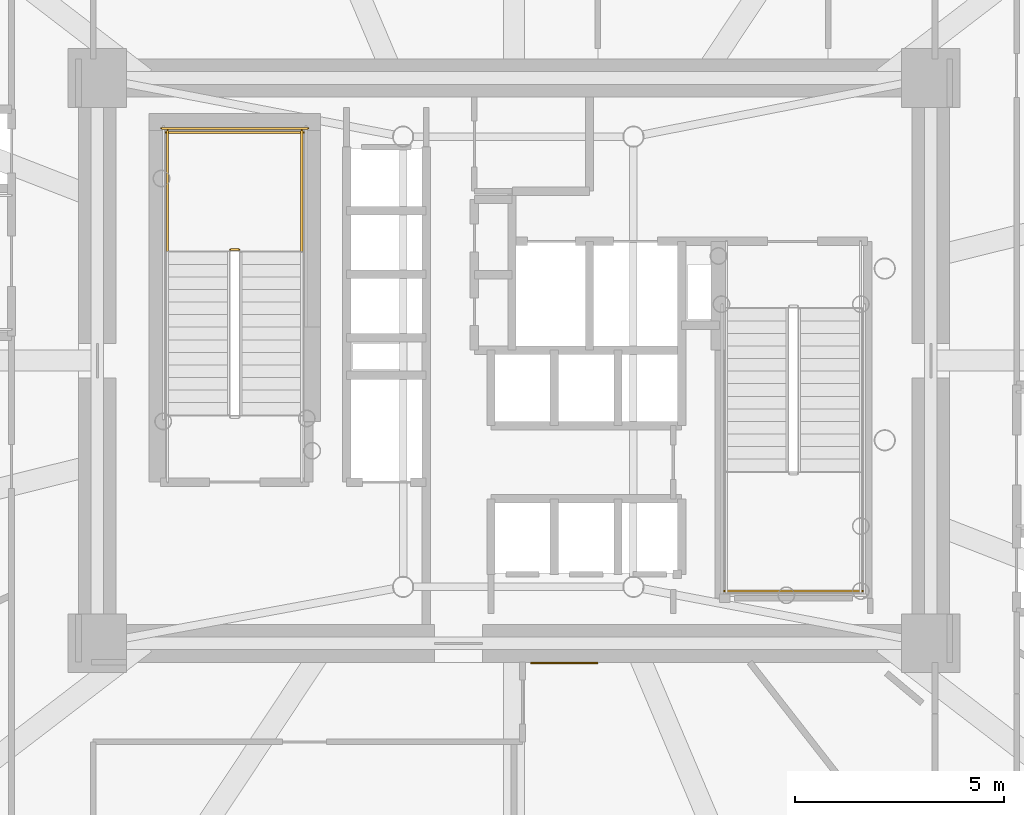
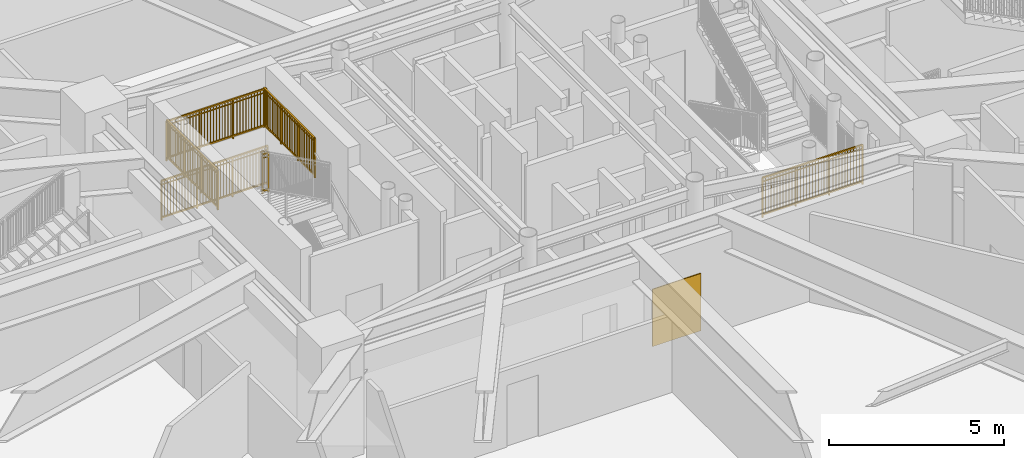
# One storey, part 22 of 27: 6 railings, 1 covering.
"""IFC4 building model written with IfcOpenShell, lengths in metres."""

from ifc_helpers import new_model, si_unit, direction, frame, origin, origin_2d, place, context, subcontext, project, spatial, rectangle, extrude, source, transform, mapped, material, layer, layer_set, type_object, element, save


model = new_model("IFC4")

# Units and contexts
model_context = context("Model", 3, precision=1e-05, world=origin(), true_north=direction((0.0, 1.0)))
body_context = subcontext(model_context, "Body", "Model", "MODEL_VIEW")
ifc_project = project(units=[si_unit("LENGTHUNIT", "METRE"), si_unit("AREAUNIT", "SQUARE_METRE"), si_unit("VOLUMEUNIT", "CUBIC_METRE"), si_unit("PLANEANGLEUNIT", "RADIAN"), si_unit("MASSUNIT", "GRAM", prefix="KILO")], contexts=[model_context])

# Site, building, storey
site_placement = place(None, origin())
site = spatial("IfcSite", under=ifc_project, at=site_placement, CompositionType="ELEMENT")
building_placement = place(site_placement, origin())
building = spatial("IfcBuilding", under=site, at=building_placement, Name="Linh Dai School and Residence Tower", CompositionType="ELEMENT")
storey_placement = place(building_placement, frame((0.0, 0.0, 22.800048828125)))
storey = spatial("IfcBuildingStorey", under=building, at=storey_placement, Name="L05", CompositionType="ELEMENT", Elevation=22.800048828125)

# Railings
ifc_material_1 = material(Name="Structural Steel S355JR", Category="steel")
railing_type = type_object("IfcRailingType", Name="RL-ST-GUARD-1400", PredefinedType="GUARDRAIL", material=ifc_material_1)
shared_shape_1 = source(origin(), body_context, "Body", "SweptSolid", [
    extrude(rectangle(XDim=0.048095703125, YDim=0.048095703125, at=origin_2d()), frame((0.0, 0.0, 1.3759765625), z_axis=(-1.0, 0.0, 0.0), x_axis=(0.0, -1.0, 0.0)), (0.0, 0.0, 1.0), 0.199951171875),
    extrude(rectangle(XDim=0.048095703125, YDim=0.048095703125, at=origin_2d()), frame((0.0, 0.0, 0.10009765625), z_axis=(-1.0, 0.0, 0.0), x_axis=(0.0, -1.0, 0.0)), (0.0, 0.0, 1.0), 0.199951171875),
    extrude(rectangle(XDim=0.030029296875, YDim=0.030029296875, at=origin_2d()), frame((0.0, 0.0, 1.239990234375), z_axis=(-1.0, 0.0, 0.0), x_axis=(0.0, -1.0, 0.0)), (0.0, 0.0, 1.0), 0.199951171875),
    extrude(rectangle(XDim=0.0419921875, YDim=0.0419921875, at=origin_2d()), origin(), (0.0, 0.0, 1.0), 1.3759765625),
    extrude(rectangle(XDim=0.0419921875, YDim=0.0419921875, at=origin_2d()), frame((-0.199951171875, 0.0, 0.0)), (0.0, 0.0, 1.0), 1.3759765625),
])
railing_1_placement = place(storey_placement, frame((29.429931640625, 29.64990234375, 2.099853515625)))
element("IfcRailing", 1, at=railing_1_placement, inside=storey, type_object=railing_type, Name="L05 ST1 stair guard 2", PredefinedType="GUARDRAIL", context=body_context, shape_type="MappedRepresentation", body=[
    mapped(shared_shape_1, transform((0.0, 0.0, 0.0), x_axis=(1.0, 0.0, 0.0), y_axis=(0.0, 1.0, 0.0), z_axis=(0.0, 0.0, 1.0), scale=1.0)),
])
shared_shape_2 = source(origin(), body_context, "Body", "SweptSolid", [
    extrude(rectangle(XDim=0.048095703125, YDim=0.048095703125, at=origin_2d()), frame((0.0, 0.0, 1.3759765625), z_axis=(-1.0, 0.0, 0.0), x_axis=(0.0, -1.0, 0.0)), (0.0, 0.0, 1.0), 3.300048828125),
    extrude(rectangle(XDim=0.048095703125, YDim=0.048095703125, at=origin_2d()), frame((0.0, 0.0, 0.10009765625), z_axis=(-1.0, 0.0, 0.0), x_axis=(0.0, -1.0, 0.0)), (0.0, 0.0, 1.0), 3.300048828125),
    extrude(rectangle(XDim=0.030029296875, YDim=0.030029296875, at=origin_2d()), frame((0.0, 0.0, 1.239990234375), z_axis=(-1.0, 0.0, 0.0), x_axis=(0.0, -1.0, 0.0)), (0.0, 0.0, 1.0), 3.300048828125),
    extrude(rectangle(XDim=0.02001953125, YDim=0.02001953125, at=origin_2d()), frame((-0.09716796875, 0.0, 0.10009765625)), (0.0, 0.0, 1.0), 1.251708984375),
    extrude(rectangle(XDim=0.02001953125, YDim=0.02001953125, at=origin_2d()), frame((-0.194091796875, 0.0, 0.10009765625)), (0.0, 0.0, 1.0), 1.251708984375),
    extrude(rectangle(XDim=0.02001953125, YDim=0.02001953125, at=origin_2d()), frame((-0.291259765625, 0.0, 0.10009765625)), (0.0, 0.0, 1.0), 1.251708984375),
    extrude(rectangle(XDim=0.02001953125, YDim=0.02001953125, at=origin_2d()), frame((-0.38818359375, 0.0, 0.10009765625)), (0.0, 0.0, 1.0), 1.251708984375),
    extrude(rectangle(XDim=0.02001953125, YDim=0.02001953125, at=origin_2d()), frame((-0.4853515625, 0.0, 0.10009765625)), (0.0, 0.0, 1.0), 1.251708984375),
    extrude(rectangle(XDim=0.02001953125, YDim=0.02001953125, at=origin_2d()), frame((-0.582275390625, 0.0, 0.10009765625)), (0.0, 0.0, 1.0), 1.251708984375),
    extrude(rectangle(XDim=0.02001953125, YDim=0.02001953125, at=origin_2d()), frame((-0.679443359375, 0.0, 0.10009765625)), (0.0, 0.0, 1.0), 1.251708984375),
    extrude(rectangle(XDim=0.02001953125, YDim=0.02001953125, at=origin_2d()), frame((-0.7763671875, 0.0, 0.10009765625)), (0.0, 0.0, 1.0), 1.251708984375),
    extrude(rectangle(XDim=0.02001953125, YDim=0.02001953125, at=origin_2d()), frame((-0.87353515625, 0.0, 0.10009765625)), (0.0, 0.0, 1.0), 1.251708984375),
    extrude(rectangle(XDim=0.02001953125, YDim=0.02001953125, at=origin_2d()), frame((-0.970703125, 0.0, 0.10009765625)), (0.0, 0.0, 1.0), 1.251708984375),
    extrude(rectangle(XDim=0.02001953125, YDim=0.02001953125, at=origin_2d()), frame((-1.164794921875, 0.0, 0.10009765625)), (0.0, 0.0, 1.0), 1.251708984375),
    extrude(rectangle(XDim=0.02001953125, YDim=0.02001953125, at=origin_2d()), frame((-1.26171875, 0.0, 0.10009765625)), (0.0, 0.0, 1.0), 1.251708984375),
    extrude(rectangle(XDim=0.02001953125, YDim=0.02001953125, at=origin_2d()), frame((-1.35888671875, 0.0, 0.10009765625)), (0.0, 0.0, 1.0), 1.251708984375),
    extrude(rectangle(XDim=0.02001953125, YDim=0.02001953125, at=origin_2d()), frame((-1.455810546875, 0.0, 0.10009765625)), (0.0, 0.0, 1.0), 1.251708984375),
    extrude(rectangle(XDim=0.02001953125, YDim=0.02001953125, at=origin_2d()), frame((-1.552978515625, 0.0, 0.10009765625)), (0.0, 0.0, 1.0), 1.251708984375),
    extrude(rectangle(XDim=0.02001953125, YDim=0.02001953125, at=origin_2d()), frame((-1.64990234375, 0.0, 0.10009765625)), (0.0, 0.0, 1.0), 1.251708984375),
    extrude(rectangle(XDim=0.02001953125, YDim=0.02001953125, at=origin_2d()), frame((-1.7470703125, 0.0, 0.10009765625)), (0.0, 0.0, 1.0), 1.251708984375),
    extrude(rectangle(XDim=0.02001953125, YDim=0.02001953125, at=origin_2d()), frame((-1.84423828125, 0.0, 0.10009765625)), (0.0, 0.0, 1.0), 1.251708984375),
    extrude(rectangle(XDim=0.02001953125, YDim=0.02001953125, at=origin_2d()), frame((-1.941162109375, 0.0, 0.10009765625)), (0.0, 0.0, 1.0), 1.251708984375),
    extrude(rectangle(XDim=0.02001953125, YDim=0.02001953125, at=origin_2d()), frame((-2.038330078125, 0.0, 0.10009765625)), (0.0, 0.0, 1.0), 1.251708984375),
    extrude(rectangle(XDim=0.02001953125, YDim=0.02001953125, at=origin_2d()), frame((-2.13525390625, 0.0, 0.10009765625)), (0.0, 0.0, 1.0), 1.251708984375),
    extrude(rectangle(XDim=0.02001953125, YDim=0.02001953125, at=origin_2d()), frame((-2.329345703125, 0.0, 0.10009765625)), (0.0, 0.0, 1.0), 1.251708984375),
    extrude(rectangle(XDim=0.02001953125, YDim=0.02001953125, at=origin_2d()), frame((-2.426513671875, 0.0, 0.10009765625)), (0.0, 0.0, 1.0), 1.251708984375),
    extrude(rectangle(XDim=0.02001953125, YDim=0.02001953125, at=origin_2d()), frame((-2.523681640625, 0.0, 0.10009765625)), (0.0, 0.0, 1.0), 1.251708984375),
    extrude(rectangle(XDim=0.02001953125, YDim=0.02001953125, at=origin_2d()), frame((-2.62060546875, 0.0, 0.10009765625)), (0.0, 0.0, 1.0), 1.251708984375),
    extrude(rectangle(XDim=0.02001953125, YDim=0.02001953125, at=origin_2d()), frame((-2.7177734375, 0.0, 0.10009765625)), (0.0, 0.0, 1.0), 1.251708984375),
    extrude(rectangle(XDim=0.02001953125, YDim=0.02001953125, at=origin_2d()), frame((-2.814697265625, 0.0, 0.10009765625)), (0.0, 0.0, 1.0), 1.251708984375),
    extrude(rectangle(XDim=0.02001953125, YDim=0.02001953125, at=origin_2d()), frame((-2.911865234375, 0.0, 0.10009765625)), (0.0, 0.0, 1.0), 1.251708984375),
    extrude(rectangle(XDim=0.02001953125, YDim=0.02001953125, at=origin_2d()), frame((-3.0087890625, 0.0, 0.10009765625)), (0.0, 0.0, 1.0), 1.251708984375),
    extrude(rectangle(XDim=0.02001953125, YDim=0.02001953125, at=origin_2d()), frame((-3.10595703125, 0.0, 0.10009765625)), (0.0, 0.0, 1.0), 1.251708984375),
    extrude(rectangle(XDim=0.02001953125, YDim=0.02001953125, at=origin_2d()), frame((-3.202880859375, 0.0, 0.10009765625)), (0.0, 0.0, 1.0), 1.251708984375),
    extrude(rectangle(XDim=0.0419921875, YDim=0.0419921875, at=origin_2d()), origin(), (0.0, 0.0, 1.0), 1.3759765625),
    extrude(rectangle(XDim=0.0419921875, YDim=0.0419921875, at=origin_2d()), frame((-1.10009765625, 0.0, 0.0)), (0.0, 0.0, 1.0), 1.3759765625),
    extrude(rectangle(XDim=0.0419921875, YDim=0.0419921875, at=origin_2d()), frame((-2.199951171875, 0.0, 0.0)), (0.0, 0.0, 1.0), 1.3759765625),
    extrude(rectangle(XDim=0.0419921875, YDim=0.0419921875, at=origin_2d()), frame((-3.300048828125, 0.0, 0.0)), (0.0, 0.0, 1.0), 1.3759765625),
])
railing_2_placement = place(storey_placement, frame((30.97998046875, 32.449951171875, 2.099853515625)))
element("IfcRailing", 2, at=railing_2_placement, inside=storey, type_object=railing_type, Name="L05 ST1 stair guard 5", PredefinedType="GUARDRAIL", context=body_context, shape_type="MappedRepresentation", body=[
    mapped(shared_shape_2, transform((0.0, 0.0, 0.0), x_axis=(1.0, 0.0, 0.0), y_axis=(0.0, 1.0, 0.0), z_axis=(0.0, 0.0, 1.0), scale=1.0)),
])
shared_shape_3 = source(origin(), body_context, "Body", "SweptSolid", [
    extrude(rectangle(XDim=0.048095703125, YDim=0.048095703125, at=origin_2d()), frame((0.0, 0.0, 1.3759765625), z_axis=(-1.0, 0.0, 0.0), x_axis=(0.0, -1.0, 0.0)), (0.0, 0.0, 1.0), 3.5),
    extrude(rectangle(XDim=0.048095703125, YDim=0.048095703125, at=origin_2d()), frame((0.0, 0.0, 0.10009765625), z_axis=(-1.0, 0.0, 0.0), x_axis=(0.0, -1.0, 0.0)), (0.0, 0.0, 1.0), 3.5),
    extrude(rectangle(XDim=0.030029296875, YDim=0.030029296875, at=origin_2d()), frame((0.0, 0.0, 1.239990234375), z_axis=(-1.0, 0.0, 0.0), x_axis=(0.0, -1.0, 0.0)), (0.0, 0.0, 1.0), 3.5),
    extrude(rectangle(XDim=0.02001953125, YDim=0.02001953125, at=origin_2d()), frame((-0.09716796875, 0.0, 0.10009765625)), (0.0, 0.0, 1.0), 1.251708984375),
    extrude(rectangle(XDim=0.02001953125, YDim=0.02001953125, at=origin_2d()), frame((-0.1943359375, 0.0, 0.10009765625)), (0.0, 0.0, 1.0), 1.251708984375),
    extrude(rectangle(XDim=0.02001953125, YDim=0.02001953125, at=origin_2d()), frame((-0.291748046875, 0.0, 0.10009765625)), (0.0, 0.0, 1.0), 1.251708984375),
    extrude(rectangle(XDim=0.02001953125, YDim=0.02001953125, at=origin_2d()), frame((-0.388916015625, 0.0, 0.10009765625)), (0.0, 0.0, 1.0), 1.251708984375),
    extrude(rectangle(XDim=0.02001953125, YDim=0.02001953125, at=origin_2d()), frame((-0.486083984375, 0.0, 0.10009765625)), (0.0, 0.0, 1.0), 1.251708984375),
    extrude(rectangle(XDim=0.02001953125, YDim=0.02001953125, at=origin_2d()), frame((-0.583251953125, 0.0, 0.10009765625)), (0.0, 0.0, 1.0), 1.251708984375),
    extrude(rectangle(XDim=0.02001953125, YDim=0.02001953125, at=origin_2d()), frame((-0.6806640625, 0.0, 0.10009765625)), (0.0, 0.0, 1.0), 1.251708984375),
    extrude(rectangle(XDim=0.02001953125, YDim=0.02001953125, at=origin_2d()), frame((-0.77783203125, 0.0, 0.10009765625)), (0.0, 0.0, 1.0), 1.251708984375),
    extrude(rectangle(XDim=0.02001953125, YDim=0.02001953125, at=origin_2d()), frame((-0.875, 0.0, 0.10009765625)), (0.0, 0.0, 1.0), 1.251708984375),
    extrude(rectangle(XDim=0.02001953125, YDim=0.02001953125, at=origin_2d()), frame((-0.97216796875, 0.0, 0.10009765625)), (0.0, 0.0, 1.0), 1.251708984375),
    extrude(rectangle(XDim=0.02001953125, YDim=0.02001953125, at=origin_2d()), frame((-1.0693359375, 0.0, 0.10009765625)), (0.0, 0.0, 1.0), 1.251708984375),
    extrude(rectangle(XDim=0.02001953125, YDim=0.02001953125, at=origin_2d()), frame((-1.263916015625, 0.0, 0.10009765625)), (0.0, 0.0, 1.0), 1.251708984375),
    extrude(rectangle(XDim=0.02001953125, YDim=0.02001953125, at=origin_2d()), frame((-1.361083984375, 0.0, 0.10009765625)), (0.0, 0.0, 1.0), 1.251708984375),
    extrude(rectangle(XDim=0.02001953125, YDim=0.02001953125, at=origin_2d()), frame((-1.458251953125, 0.0, 0.10009765625)), (0.0, 0.0, 1.0), 1.251708984375),
    extrude(rectangle(XDim=0.02001953125, YDim=0.02001953125, at=origin_2d()), frame((-1.5556640625, 0.0, 0.10009765625)), (0.0, 0.0, 1.0), 1.251708984375),
    extrude(rectangle(XDim=0.02001953125, YDim=0.02001953125, at=origin_2d()), frame((-1.65283203125, 0.0, 0.10009765625)), (0.0, 0.0, 1.0), 1.251708984375),
    extrude(rectangle(XDim=0.02001953125, YDim=0.02001953125, at=origin_2d()), frame((-1.75, 0.0, 0.10009765625)), (0.0, 0.0, 1.0), 1.251708984375),
    extrude(rectangle(XDim=0.02001953125, YDim=0.02001953125, at=origin_2d()), frame((-1.84716796875, 0.0, 0.10009765625)), (0.0, 0.0, 1.0), 1.251708984375),
    extrude(rectangle(XDim=0.02001953125, YDim=0.02001953125, at=origin_2d()), frame((-1.9443359375, 0.0, 0.10009765625)), (0.0, 0.0, 1.0), 1.251708984375),
    extrude(rectangle(XDim=0.02001953125, YDim=0.02001953125, at=origin_2d()), frame((-2.041748046875, 0.0, 0.10009765625)), (0.0, 0.0, 1.0), 1.251708984375),
    extrude(rectangle(XDim=0.02001953125, YDim=0.02001953125, at=origin_2d()), frame((-2.138916015625, 0.0, 0.10009765625)), (0.0, 0.0, 1.0), 1.251708984375),
    extrude(rectangle(XDim=0.02001953125, YDim=0.02001953125, at=origin_2d()), frame((-2.236083984375, 0.0, 0.10009765625)), (0.0, 0.0, 1.0), 1.251708984375),
    extrude(rectangle(XDim=0.02001953125, YDim=0.02001953125, at=origin_2d()), frame((-2.4306640625, 0.0, 0.10009765625)), (0.0, 0.0, 1.0), 1.251708984375),
    extrude(rectangle(XDim=0.02001953125, YDim=0.02001953125, at=origin_2d()), frame((-2.52783203125, 0.0, 0.10009765625)), (0.0, 0.0, 1.0), 1.251708984375),
    extrude(rectangle(XDim=0.02001953125, YDim=0.02001953125, at=origin_2d()), frame((-2.625, 0.0, 0.10009765625)), (0.0, 0.0, 1.0), 1.251708984375),
    extrude(rectangle(XDim=0.02001953125, YDim=0.02001953125, at=origin_2d()), frame((-2.72216796875, 0.0, 0.10009765625)), (0.0, 0.0, 1.0), 1.251708984375),
    extrude(rectangle(XDim=0.02001953125, YDim=0.02001953125, at=origin_2d()), frame((-2.8193359375, 0.0, 0.10009765625)), (0.0, 0.0, 1.0), 1.251708984375),
    extrude(rectangle(XDim=0.02001953125, YDim=0.02001953125, at=origin_2d()), frame((-2.916748046875, 0.0, 0.10009765625)), (0.0, 0.0, 1.0), 1.251708984375),
    extrude(rectangle(XDim=0.02001953125, YDim=0.02001953125, at=origin_2d()), frame((-3.013916015625, 0.0, 0.10009765625)), (0.0, 0.0, 1.0), 1.251708984375),
    extrude(rectangle(XDim=0.02001953125, YDim=0.02001953125, at=origin_2d()), frame((-3.111083984375, 0.0, 0.10009765625)), (0.0, 0.0, 1.0), 1.251708984375),
    extrude(rectangle(XDim=0.02001953125, YDim=0.02001953125, at=origin_2d()), frame((-3.208251953125, 0.0, 0.10009765625)), (0.0, 0.0, 1.0), 1.251708984375),
    extrude(rectangle(XDim=0.02001953125, YDim=0.02001953125, at=origin_2d()), frame((-3.3056640625, 0.0, 0.10009765625)), (0.0, 0.0, 1.0), 1.251708984375),
    extrude(rectangle(XDim=0.02001953125, YDim=0.02001953125, at=origin_2d()), frame((-3.40283203125, 0.0, 0.10009765625)), (0.0, 0.0, 1.0), 1.251708984375),
    extrude(rectangle(XDim=0.0419921875, YDim=0.0419921875, at=origin_2d()), origin(), (0.0, 0.0, 1.0), 1.3759765625),
    extrude(rectangle(XDim=0.0419921875, YDim=0.0419921875, at=origin_2d()), frame((-1.166748046875, 0.0, 0.0)), (0.0, 0.0, 1.0), 1.3759765625),
    extrude(rectangle(XDim=0.0419921875, YDim=0.0419921875, at=origin_2d()), frame((-2.333251953125, 0.0, 0.0)), (0.0, 0.0, 1.0), 1.3759765625),
    extrude(rectangle(XDim=0.0419921875, YDim=0.0419921875, at=origin_2d()), frame((-3.5, 0.0, 0.0)), (0.0, 0.0, 1.0), 1.3759765625),
])
railing_3_placement = place(storey_placement, frame((31.080078125, 32.550048828125, 0.0)))
element("IfcRailing", 3, at=railing_3_placement, inside=storey, type_object=railing_type, Name="L05 ST1 stair guard 12", PredefinedType="GUARDRAIL", context=body_context, shape_type="MappedRepresentation", body=[
    mapped(shared_shape_3, transform((0.0, 0.0, 0.0), x_axis=(1.0, 0.0, 0.0), y_axis=(0.0, 1.0, 0.0), z_axis=(0.0, 0.0, 1.0), scale=1.0)),
])
shared_shape_4 = source(origin(), body_context, "Body", "SweptSolid", [
    extrude(rectangle(XDim=0.048095703125, YDim=0.048095703125, at=origin_2d()), frame((0.0, 0.0, 1.3759765625), z_axis=(0.0, 1.0, 0.0), x_axis=(-1.0, 0.0, 0.0)), (0.0, 0.0, 1.0), 2.89990234375),
    extrude(rectangle(XDim=0.048095703125, YDim=0.048095703125, at=origin_2d()), frame((0.0, 0.0, 0.10009765625), z_axis=(0.0, 1.0, 0.0), x_axis=(-1.0, 0.0, 0.0)), (0.0, 0.0, 1.0), 2.89990234375),
    extrude(rectangle(XDim=0.030029296875, YDim=0.030029296875, at=origin_2d()), frame((0.0, 0.0, 1.239990234375), z_axis=(0.0, 1.0, 0.0), x_axis=(-1.0, 0.0, 0.0)), (0.0, 0.0, 1.0), 2.89990234375),
    extrude(rectangle(XDim=0.02001953125, YDim=0.02001953125, at=origin_2d()), frame((0.0, 0.0966796875, 0.10009765625)), (0.0, 0.0, 1.0), 1.251708984375),
    extrude(rectangle(XDim=0.02001953125, YDim=0.02001953125, at=origin_2d()), frame((0.0, 0.193359375, 0.10009765625)), (0.0, 0.0, 1.0), 1.251708984375),
    extrude(rectangle(XDim=0.02001953125, YDim=0.02001953125, at=origin_2d()), frame((0.0, 0.2900390625, 0.10009765625)), (0.0, 0.0, 1.0), 1.251708984375),
    extrude(rectangle(XDim=0.02001953125, YDim=0.02001953125, at=origin_2d()), frame((0.0, 0.38671875, 0.10009765625)), (0.0, 0.0, 1.0), 1.251708984375),
    extrude(rectangle(XDim=0.02001953125, YDim=0.02001953125, at=origin_2d()), frame((0.0, 0.4833984375, 0.10009765625)), (0.0, 0.0, 1.0), 1.251708984375),
    extrude(rectangle(XDim=0.02001953125, YDim=0.02001953125, at=origin_2d()), frame((0.0, 0.580078125, 0.10009765625)), (0.0, 0.0, 1.0), 1.251708984375),
    extrude(rectangle(XDim=0.02001953125, YDim=0.02001953125, at=origin_2d()), frame((0.0, 0.6767578125, 0.10009765625)), (0.0, 0.0, 1.0), 1.251708984375),
    extrude(rectangle(XDim=0.02001953125, YDim=0.02001953125, at=origin_2d()), frame((0.0, 0.773193359375, 0.10009765625)), (0.0, 0.0, 1.0), 1.251708984375),
    extrude(rectangle(XDim=0.02001953125, YDim=0.02001953125, at=origin_2d()), frame((0.0, 0.869873046875, 0.10009765625)), (0.0, 0.0, 1.0), 1.251708984375),
    extrude(rectangle(XDim=0.02001953125, YDim=0.02001953125, at=origin_2d()), frame((0.0, 1.063232421875, 0.10009765625)), (0.0, 0.0, 1.0), 1.251708984375),
    extrude(rectangle(XDim=0.02001953125, YDim=0.02001953125, at=origin_2d()), frame((0.0, 1.159912109375, 0.10009765625)), (0.0, 0.0, 1.0), 1.251708984375),
    extrude(rectangle(XDim=0.02001953125, YDim=0.02001953125, at=origin_2d()), frame((0.0, 1.256591796875, 0.10009765625)), (0.0, 0.0, 1.0), 1.251708984375),
    extrude(rectangle(XDim=0.02001953125, YDim=0.02001953125, at=origin_2d()), frame((0.0, 1.353271484375, 0.10009765625)), (0.0, 0.0, 1.0), 1.251708984375),
    extrude(rectangle(XDim=0.02001953125, YDim=0.02001953125, at=origin_2d()), frame((0.0, 1.449951171875, 0.10009765625)), (0.0, 0.0, 1.0), 1.251708984375),
    extrude(rectangle(XDim=0.02001953125, YDim=0.02001953125, at=origin_2d()), frame((0.0, 1.546630859375, 0.10009765625)), (0.0, 0.0, 1.0), 1.251708984375),
    extrude(rectangle(XDim=0.02001953125, YDim=0.02001953125, at=origin_2d()), frame((0.0, 1.643310546875, 0.10009765625)), (0.0, 0.0, 1.0), 1.251708984375),
    extrude(rectangle(XDim=0.02001953125, YDim=0.02001953125, at=origin_2d()), frame((0.0, 1.739990234375, 0.10009765625)), (0.0, 0.0, 1.0), 1.251708984375),
    extrude(rectangle(XDim=0.02001953125, YDim=0.02001953125, at=origin_2d()), frame((0.0, 1.836669921875, 0.10009765625)), (0.0, 0.0, 1.0), 1.251708984375),
    extrude(rectangle(XDim=0.02001953125, YDim=0.02001953125, at=origin_2d()), frame((0.0, 2.030029296875, 0.10009765625)), (0.0, 0.0, 1.0), 1.251708984375),
    extrude(rectangle(XDim=0.02001953125, YDim=0.02001953125, at=origin_2d()), frame((0.0, 2.126708984375, 0.10009765625)), (0.0, 0.0, 1.0), 1.251708984375),
    extrude(rectangle(XDim=0.02001953125, YDim=0.02001953125, at=origin_2d()), frame((0.0, 2.22314453125, 0.10009765625)), (0.0, 0.0, 1.0), 1.251708984375),
    extrude(rectangle(XDim=0.02001953125, YDim=0.02001953125, at=origin_2d()), frame((0.0, 2.31982421875, 0.10009765625)), (0.0, 0.0, 1.0), 1.251708984375),
    extrude(rectangle(XDim=0.02001953125, YDim=0.02001953125, at=origin_2d()), frame((0.0, 2.41650390625, 0.10009765625)), (0.0, 0.0, 1.0), 1.251708984375),
    extrude(rectangle(XDim=0.02001953125, YDim=0.02001953125, at=origin_2d()), frame((0.0, 2.51318359375, 0.10009765625)), (0.0, 0.0, 1.0), 1.251708984375),
    extrude(rectangle(XDim=0.02001953125, YDim=0.02001953125, at=origin_2d()), frame((0.0, 2.60986328125, 0.10009765625)), (0.0, 0.0, 1.0), 1.251708984375),
    extrude(rectangle(XDim=0.02001953125, YDim=0.02001953125, at=origin_2d()), frame((0.0, 2.70654296875, 0.10009765625)), (0.0, 0.0, 1.0), 1.251708984375),
    extrude(rectangle(XDim=0.02001953125, YDim=0.02001953125, at=origin_2d()), frame((0.0, 2.80322265625, 0.10009765625)), (0.0, 0.0, 1.0), 1.251708984375),
    extrude(rectangle(XDim=0.0419921875, YDim=0.0419921875, at=origin_2d()), origin(), (0.0, 0.0, 1.0), 1.3759765625),
    extrude(rectangle(XDim=0.0419921875, YDim=0.0419921875, at=origin_2d()), frame((0.0, 0.966552734375, 0.0)), (0.0, 0.0, 1.0), 1.3759765625),
    extrude(rectangle(XDim=0.0419921875, YDim=0.0419921875, at=origin_2d()), frame((0.0, 1.933349609375, 0.0)), (0.0, 0.0, 1.0), 1.3759765625),
    extrude(rectangle(XDim=0.0419921875, YDim=0.0419921875, at=origin_2d()), frame((0.0, 2.89990234375, 0.0)), (0.0, 0.0, 1.0), 1.3759765625),
])
for number, where, name in (
    (4, (30.929931640625, 29.60009765625, 2.099853515625), "L05 ST1 stair guard 3"),
    (5, (27.72998046875, 29.60009765625, 2.099853515625), "L05 ST1 stair guard 4"),
):
    element("IfcRailing", number, at=place(storey_placement, frame(where)), inside=storey, type_object=railing_type, Name=name, PredefinedType="GUARDRAIL", context=body_context, shape_type="MappedRepresentation", body=[
        mapped(shared_shape_4, transform((0.0, 0.0, 0.0), x_axis=(1.0, 0.0, 0.0), y_axis=(0.0, 1.0, 0.0), z_axis=(0.0, 0.0, 1.0), scale=1.0)),
    ])
shared_shape_5 = source(origin(), body_context, "Body", "SweptSolid", [
    extrude(rectangle(XDim=0.048095703125, YDim=0.048095703125, at=origin_2d()), frame((0.0, 0.0, 1.3759765625), z_axis=(1.0, 0.0, 0.0), x_axis=(0.0, 1.0, 0.0)), (0.0, 0.0, 1.0), 3.300048828125),
    extrude(rectangle(XDim=0.048095703125, YDim=0.048095703125, at=origin_2d()), frame((0.0, 0.0, 0.10009765625), z_axis=(1.0, 0.0, 0.0), x_axis=(0.0, 1.0, 0.0)), (0.0, 0.0, 1.0), 3.300048828125),
    extrude(rectangle(XDim=0.030029296875, YDim=0.030029296875, at=origin_2d()), frame((0.0, 0.0, 1.239990234375), z_axis=(1.0, 0.0, 0.0), x_axis=(0.0, 1.0, 0.0)), (0.0, 0.0, 1.0), 3.300048828125),
    extrude(rectangle(XDim=0.02001953125, YDim=0.02001953125, at=origin_2d()), frame((0.09716796875, 0.0, 0.10009765625)), (0.0, 0.0, 1.0), 1.251708984375),
    extrude(rectangle(XDim=0.02001953125, YDim=0.02001953125, at=origin_2d()), frame((0.194091796875, 0.0, 0.10009765625)), (0.0, 0.0, 1.0), 1.251708984375),
    extrude(rectangle(XDim=0.02001953125, YDim=0.02001953125, at=origin_2d()), frame((0.291259765625, 0.0, 0.10009765625)), (0.0, 0.0, 1.0), 1.251708984375),
    extrude(rectangle(XDim=0.02001953125, YDim=0.02001953125, at=origin_2d()), frame((0.38818359375, 0.0, 0.10009765625)), (0.0, 0.0, 1.0), 1.251708984375),
    extrude(rectangle(XDim=0.02001953125, YDim=0.02001953125, at=origin_2d()), frame((0.4853515625, 0.0, 0.10009765625)), (0.0, 0.0, 1.0), 1.251708984375),
    extrude(rectangle(XDim=0.02001953125, YDim=0.02001953125, at=origin_2d()), frame((0.582275390625, 0.0, 0.10009765625)), (0.0, 0.0, 1.0), 1.251708984375),
    extrude(rectangle(XDim=0.02001953125, YDim=0.02001953125, at=origin_2d()), frame((0.679443359375, 0.0, 0.10009765625)), (0.0, 0.0, 1.0), 1.251708984375),
    extrude(rectangle(XDim=0.02001953125, YDim=0.02001953125, at=origin_2d()), frame((0.7763671875, 0.0, 0.10009765625)), (0.0, 0.0, 1.0), 1.251708984375),
    extrude(rectangle(XDim=0.02001953125, YDim=0.02001953125, at=origin_2d()), frame((0.87353515625, 0.0, 0.10009765625)), (0.0, 0.0, 1.0), 1.251708984375),
    extrude(rectangle(XDim=0.02001953125, YDim=0.02001953125, at=origin_2d()), frame((0.970703125, 0.0, 0.10009765625)), (0.0, 0.0, 1.0), 1.251708984375),
    extrude(rectangle(XDim=0.02001953125, YDim=0.02001953125, at=origin_2d()), frame((1.164794921875, 0.0, 0.10009765625)), (0.0, 0.0, 1.0), 1.251708984375),
    extrude(rectangle(XDim=0.02001953125, YDim=0.02001953125, at=origin_2d()), frame((1.26171875, 0.0, 0.10009765625)), (0.0, 0.0, 1.0), 1.251708984375),
    extrude(rectangle(XDim=0.02001953125, YDim=0.02001953125, at=origin_2d()), frame((1.35888671875, 0.0, 0.10009765625)), (0.0, 0.0, 1.0), 1.251708984375),
    extrude(rectangle(XDim=0.02001953125, YDim=0.02001953125, at=origin_2d()), frame((1.455810546875, 0.0, 0.10009765625)), (0.0, 0.0, 1.0), 1.251708984375),
    extrude(rectangle(XDim=0.02001953125, YDim=0.02001953125, at=origin_2d()), frame((1.552978515625, 0.0, 0.10009765625)), (0.0, 0.0, 1.0), 1.251708984375),
    extrude(rectangle(XDim=0.02001953125, YDim=0.02001953125, at=origin_2d()), frame((1.64990234375, 0.0, 0.10009765625)), (0.0, 0.0, 1.0), 1.251708984375),
    extrude(rectangle(XDim=0.02001953125, YDim=0.02001953125, at=origin_2d()), frame((1.7470703125, 0.0, 0.10009765625)), (0.0, 0.0, 1.0), 1.251708984375),
    extrude(rectangle(XDim=0.02001953125, YDim=0.02001953125, at=origin_2d()), frame((1.84423828125, 0.0, 0.10009765625)), (0.0, 0.0, 1.0), 1.251708984375),
    extrude(rectangle(XDim=0.02001953125, YDim=0.02001953125, at=origin_2d()), frame((1.941162109375, 0.0, 0.10009765625)), (0.0, 0.0, 1.0), 1.251708984375),
    extrude(rectangle(XDim=0.02001953125, YDim=0.02001953125, at=origin_2d()), frame((2.038330078125, 0.0, 0.10009765625)), (0.0, 0.0, 1.0), 1.251708984375),
    extrude(rectangle(XDim=0.02001953125, YDim=0.02001953125, at=origin_2d()), frame((2.13525390625, 0.0, 0.10009765625)), (0.0, 0.0, 1.0), 1.251708984375),
    extrude(rectangle(XDim=0.02001953125, YDim=0.02001953125, at=origin_2d()), frame((2.329345703125, 0.0, 0.10009765625)), (0.0, 0.0, 1.0), 1.251708984375),
    extrude(rectangle(XDim=0.02001953125, YDim=0.02001953125, at=origin_2d()), frame((2.426513671875, 0.0, 0.10009765625)), (0.0, 0.0, 1.0), 1.251708984375),
    extrude(rectangle(XDim=0.02001953125, YDim=0.02001953125, at=origin_2d()), frame((2.523681640625, 0.0, 0.10009765625)), (0.0, 0.0, 1.0), 1.251708984375),
    extrude(rectangle(XDim=0.02001953125, YDim=0.02001953125, at=origin_2d()), frame((2.62060546875, 0.0, 0.10009765625)), (0.0, 0.0, 1.0), 1.251708984375),
    extrude(rectangle(XDim=0.02001953125, YDim=0.02001953125, at=origin_2d()), frame((2.7177734375, 0.0, 0.10009765625)), (0.0, 0.0, 1.0), 1.251708984375),
    extrude(rectangle(XDim=0.02001953125, YDim=0.02001953125, at=origin_2d()), frame((2.814697265625, 0.0, 0.10009765625)), (0.0, 0.0, 1.0), 1.251708984375),
    extrude(rectangle(XDim=0.02001953125, YDim=0.02001953125, at=origin_2d()), frame((2.911865234375, 0.0, 0.10009765625)), (0.0, 0.0, 1.0), 1.251708984375),
    extrude(rectangle(XDim=0.02001953125, YDim=0.02001953125, at=origin_2d()), frame((3.0087890625, 0.0, 0.10009765625)), (0.0, 0.0, 1.0), 1.251708984375),
    extrude(rectangle(XDim=0.02001953125, YDim=0.02001953125, at=origin_2d()), frame((3.10595703125, 0.0, 0.10009765625)), (0.0, 0.0, 1.0), 1.251708984375),
    extrude(rectangle(XDim=0.02001953125, YDim=0.02001953125, at=origin_2d()), frame((3.202880859375, 0.0, 0.10009765625)), (0.0, 0.0, 1.0), 1.251708984375),
    extrude(rectangle(XDim=0.0419921875, YDim=0.0419921875, at=origin_2d()), origin(), (0.0, 0.0, 1.0), 1.3759765625),
    extrude(rectangle(XDim=0.0419921875, YDim=0.0419921875, at=origin_2d()), frame((1.10009765625, 0.0, 0.0)), (0.0, 0.0, 1.0), 1.3759765625),
    extrude(rectangle(XDim=0.0419921875, YDim=0.0419921875, at=origin_2d()), frame((2.199951171875, 0.0, 0.0)), (0.0, 0.0, 1.0), 1.3759765625),
    extrude(rectangle(XDim=0.0419921875, YDim=0.0419921875, at=origin_2d()), frame((3.300048828125, 0.0, 0.0)), (0.0, 0.0, 1.0), 1.3759765625),
])
railing_4_placement = place(storey_placement, frame((41.02001953125, 21.5, 2.099853515625)))
element("IfcRailing", 6, at=railing_4_placement, inside=storey, type_object=railing_type, Name="L05 ST2 stair guard 5", PredefinedType="GUARDRAIL", context=body_context, shape_type="MappedRepresentation", body=[
    mapped(shared_shape_5, transform((0.0, 0.0, 0.0), x_axis=(1.0, 0.0, 0.0), y_axis=(0.0, 1.0, 0.0), z_axis=(0.0, 0.0, 1.0), scale=1.0)),
])

# Covering
ifc_material_2 = material(Name="Glazed Terracotta Acoustic Feature Cladding", Category="masonry")
ifc_layer = layer(ifc_material_2, 0.030029296875)
ifc_layer_set = layer_set([ifc_layer], Name="Glazed Terracotta Acoustic Feature Cladding")
covering_type = type_object("IfcCoveringType", Name="COV-CLAD-TC-30", PredefinedType="CLADDING", material=ifc_layer_set)
shared_shape_6 = source(origin(), body_context, "Body", "SweptSolid", [
    extrude(rectangle(XDim=1.60009765625, YDim=0.030029296875, at=origin_2d()), origin(), (0.0, 0.0, 1.0), 2.0),
])
covering_placement = place(storey_placement, frame((37.199951171875, 19.784912109375, 0.25), z_axis=(0.0, 0.0, 1.0), x_axis=(1.0, 0.0, 0.0)))
element("IfcCovering", 7, at=covering_placement, inside=storey, type_object=covering_type, Name="L05 Core Lobby Terracotta Feature Cladding", PredefinedType="CLADDING", context=body_context, shape_type="MappedRepresentation", body=[
    mapped(shared_shape_6, transform((0.0, 0.0, 0.0), x_axis=(1.0, 0.0, 0.0), y_axis=(0.0, 1.0, 0.0), z_axis=(0.0, 0.0, 1.0), scale=1.0)),
])

save(model, "model.ifc")
